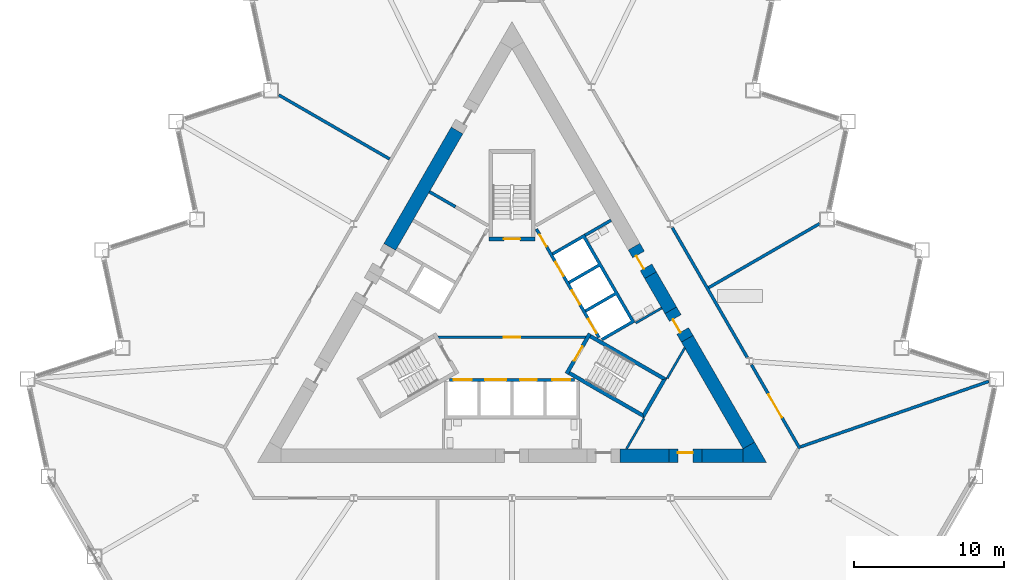
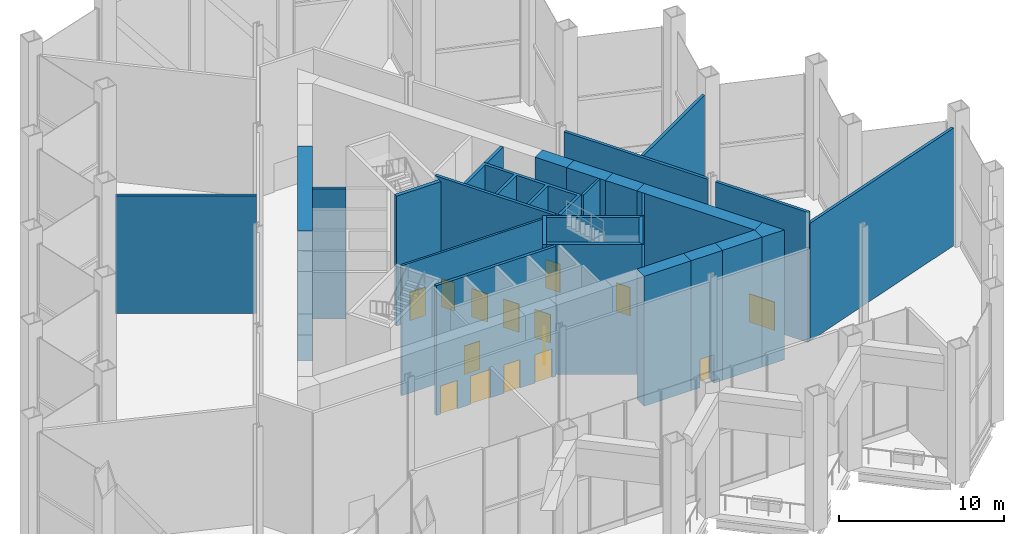
# One storey, part 9 of 17: 28 walls, 15 doors, 15 openings.
"""IFC4 building model written with IfcOpenShell, lengths in metres."""

from ifc_helpers import new_model, si_unit, direction, frame, frame_2d, origin, place, context, subcontext, project, spatial, polyline, rectangle, outline, extrude, material, layer, layer_set, type_object, element, fill, save


model = new_model("IFC4")

# Units and contexts
model_context = context("Model", 3, precision=1e-05, world=origin(), true_north=direction((0.0, 1.0)))
body_context = subcontext(model_context, "Body", "Model", "MODEL_VIEW")
ifc_project = project(units=[si_unit("LENGTHUNIT", "METRE"), si_unit("AREAUNIT", "SQUARE_METRE"), si_unit("VOLUMEUNIT", "CUBIC_METRE"), si_unit("PLANEANGLEUNIT", "RADIAN"), si_unit("MASSUNIT", "GRAM", prefix="KILO")], contexts=[model_context])

# Site, building, storey
site_placement = place(None, origin())
site = spatial("IfcSite", under=ifc_project, at=site_placement, CompositionType="ELEMENT")
building_placement = place(site_placement, origin())
building = spatial("IfcBuilding", under=site, at=building_placement, Name="Cormorant Prow Tower", CompositionType="ELEMENT")
storey_placement = place(building_placement, frame((0.0, 0.0, 84.60009765625)))
storey = spatial("IfcBuildingStorey", under=building, at=storey_placement, Name="L18", CompositionType="ELEMENT", Elevation=84.60009765625)

# Wall, opening, door
ifc_material_1 = material(Name="Gypsum board partition")
ifc_layer_1 = layer(ifc_material_1, 0.14990234375)
ifc_layer_set_1 = layer_set([ifc_layer_1], Name="Gypsum board partition")
wall_type_1 = type_object("IfcWallType", Name="Core partition 150", PredefinedType="PARTITIONING", material=ifc_layer_set_1)
wall_1_placement = place(storey_placement, frame((-4.941162109375, -1.449951171875, 0.0), z_axis=(0.0, 0.0, 1.0), x_axis=(1.0, 0.0, 0.0)))
wall_1 = element("IfcWall", 1, at=wall_1_placement, inside=storey, type_object=wall_type_1, Name="Firefighting lobby partition", PredefinedType="PARTITIONING", context=body_context, shape_type="SweptSolid", body=[
    extrude(rectangle(XDim=9.88232421875, YDim=0.14990234375, at=frame_2d((4.941162109375, 0.0))), origin(), (0.0, 0.0, 1.0), 9.599853515625),
])
opening_1_placement = place(wall_1_placement, frame((4.39111328125, 0.0, 0.0)))
opening_1 = element("IfcOpeningElement", 2, at=opening_1_placement, cuts=wall_1, Name="Opening L18-C11", PredefinedType="OPENING", context=body_context, shape_type="SweptSolid", body=[
    extrude(rectangle(XDim=1.10009765625, YDim=2.10009765625, at=frame_2d((0.550048828125, 1.050048828125))), frame((0.0, 0.0849609375, 0.0), z_axis=(0.0, -1.0, 0.0), x_axis=(1.0, 0.0, 0.0)), (0.0, 0.0, 1.0), 0.169921875),
])
ifc_material_2 = material(Name="Painted steel", Category="steel")
door_type_1 = type_object("IfcDoorType", Name="Firefighting lobby door 1100x2100", OperationType="NOTDEFINED", PredefinedType="DOOR", material=ifc_material_2)
door_1_placement = place(opening_1_placement, origin())
door_1 = element("IfcDoor", 3, at=door_1_placement, inside=storey, type_object=door_type_1, Name="Firefighting lobby door", OperationType="SINGLE_SWING_RIGHT", OverallHeight=2.10009765625, OverallWidth=1.10009765625, PredefinedType="DOOR", context=body_context, shape_type="SweptSolid", body=[
    extrude(rectangle(XDim=1.10009765625, YDim=2.10009765625, at=frame_2d((0.550048828125, 1.050048828125))), frame((0.0, 0.02490234375, 0.0), z_axis=(0.0, -1.0, 0.0), x_axis=(1.0, 0.0, 0.0)), (0.0, 0.0, 1.0), 0.050048828125),
])
fill(opening_1, door_1)

# Walls
wall_2_placement = place(storey_placement, frame((8.268310546875, -0.509033203125, 0.0), z_axis=(0.0, 0.0, 1.0), x_axis=(0.866035824272, 0.499981950752, 0.0)))
element("IfcWall", 4, at=wall_2_placement, inside=storey, type_object=wall_type_1, Name="Service room partition", PredefinedType="PARTITIONING", context=body_context, shape_type="SweptSolid", body=[
    extrude(rectangle(XDim=2.0087890625, YDim=0.14990234375, at=frame_2d((1.00439453125, 0.0))), origin(), (0.0, 0.0, 1.0), 9.599853515625),
])
wall_3_placement = place(storey_placement, frame((8.82958984375, -6.880615234375, 0.0), z_axis=(0.0, 0.0, 1.0), x_axis=(-0.500073279432, -0.865983091751, 0.0)))
element("IfcWall", 5, at=wall_3_placement, inside=storey, type_object=wall_type_1, Name="Service room partition", PredefinedType="PARTITIONING", context=body_context, shape_type="SweptSolid", body=[
    extrude(rectangle(XDim=2.349365234375, YDim=0.14990234375, at=frame_2d((1.1748046875, 0.0))), origin(), (0.0, 0.0, 1.0), 9.599853515625),
])
wall_4_placement = place(storey_placement, frame((10.37353515625, -4.206298828125, 0.0), z_axis=(0.0, 0.0, 1.0), x_axis=(0.499995339376, 0.86602809458, 0.0)))
element("IfcWall", 6, at=wall_4_placement, inside=storey, type_object=wall_type_1, Name="Service room partition", PredefinedType="PARTITIONING", context=body_context, shape_type="SweptSolid", body=[
    extrude(rectangle(XDim=2.34912109375, YDim=0.14990234375, at=frame_2d((1.174560546875, 0.0))), origin(), (0.0, 0.0, 1.0), 9.599853515625),
])
ifc_material_3 = material(Name="Concrete 8000 psi", Category="concrete")
ifc_layer_2 = layer(ifc_material_3, 0.89990234375)
ifc_layer_set_2 = layer_set([ifc_layer_2], Name="Concrete 8000 psi")
wall_type_2 = type_object("IfcWallType", Name="Core shear wall 900", PredefinedType="SHEAR", material=ifc_layer_set_2)
wall_5_placement = place(storey_placement, frame((7.208984375, -9.364990234375, 0.0), z_axis=(0.0, 0.0, 1.0), x_axis=(1.0, 0.0, 0.0)))
element("IfcWall", 7, at=wall_5_placement, inside=storey, type_object=wall_type_2, Name="Core wall", PredefinedType="SHEAR", context=body_context, shape_type="SweptSolid", body=[
    extrude(rectangle(XDim=3.282470703125, YDim=0.89990234375, at=frame_2d((1.64111328125, 0.0))), origin(), (0.0, 0.0, 1.0), 9.599853515625),
])
wall_6_placement = place(storey_placement, frame((12.69140625, -9.364990234375, 0.0), z_axis=(0.0, 0.0, 1.0), x_axis=(1.0, 0.0, 0.0)))
element("IfcWall", 8, at=wall_6_placement, inside=storey, type_object=wall_type_2, Name="Core wall", PredefinedType="SHEAR", context=body_context, shape_type="SweptSolid", body=[
    extrude(rectangle(XDim=2.749755859375, YDim=0.89990234375, at=frame_2d((1.375, 0.0))), origin(), (0.0, 0.0, 1.0), 9.599853515625),
])
wall_7_placement = place(storey_placement, frame((15.830810546875, -8.68994140625, 0.0), z_axis=(0.0, 0.0, 1.0), x_axis=(-0.499995435471, 0.8660280391, 0.0)))
element("IfcWall", 9, at=wall_7_placement, inside=storey, type_object=wall_type_2, Name="Core wall", PredefinedType="SHEAR", context=body_context, shape_type="SweptSolid", body=[
    extrude(rectangle(XDim=8.23193359375, YDim=0.89990234375, at=frame_2d((4.115966796875, 0.0))), origin(), (0.0, 0.0, 1.0), 9.599853515625),
])
wall_8_placement = place(storey_placement, frame((10.614990234375, 0.344482421875, 0.0), z_axis=(0.0, 0.0, 1.0), x_axis=(-0.500044870432, 0.865999496279, 0.0)))
element("IfcWall", 10, at=wall_8_placement, inside=storey, type_object=wall_type_2, Name="Core wall", PredefinedType="SHEAR", context=body_context, shape_type="SweptSolid", body=[
    extrude(rectangle(XDim=2.709228515625, YDim=0.89990234375, at=frame_2d((1.3544921875, 0.0))), origin(), (0.0, 0.0, 1.0), 9.599853515625),
])
wall_9_placement = place(storey_placement, frame((-3.675048828125, 12.364501953125, 0.0), z_axis=(0.0, 0.0, 1.0), x_axis=(-0.500014716158, -0.86601690724, 0.0)))
element("IfcWall", 11, at=wall_9_placement, inside=storey, type_object=wall_type_2, Name="Core wall", PredefinedType="SHEAR", context=body_context, shape_type="SweptSolid", body=[
    extrude(rectangle(XDim=8.990478515625, YDim=0.89990234375, at=frame_2d((4.4951171875, 0.0))), origin(), (0.0, 0.0, 1.0), 9.599853515625),
])
wall_10_placement = place(storey_placement, origin())
element("IfcWall", 12, at=wall_10_placement, inside=storey, type_object=wall_type_2, Name="Core wall corner", PredefinedType="SHEAR", context=body_context, shape_type="SweptSolid", body=[
    extrude(outline(polyline([(15.441162109375, -9.81494140625), (15.441162109375, -8.9150390625), (16.220703125, -8.465087890625), (17.0, -9.81494140625), (15.441162109375, -9.81494140625)])), origin(), (0.0, 0.0, 1.0), 9.599853515625),
])

# Wall, opening, door
wall_11_placement = place(storey_placement, frame((10.491455078125, -9.364990234375, 0.0), z_axis=(0.0, 0.0, 1.0), x_axis=(1.0, 0.0, 0.0)))
wall_11 = element("IfcWall", 13, at=wall_11_placement, inside=storey, type_object=wall_type_2, Name="Core wall door panel", PredefinedType="SHEAR", context=body_context, shape_type="SweptSolid", body=[
    extrude(rectangle(XDim=2.199951171875, YDim=0.89990234375, at=frame_2d((1.10009765625, 0.0))), origin(), (0.0, 0.0, 1.0), 9.599853515625),
])
opening_2_placement = place(wall_11_placement, frame((0.60009765625, 0.0, 0.0)))
opening_2 = element("IfcOpeningElement", 14, at=opening_2_placement, cuts=wall_11, Name="Opening L18-C17", PredefinedType="OPENING", context=body_context, shape_type="SweptSolid", body=[
    extrude(rectangle(XDim=1.0, YDim=2.10009765625, at=frame_2d((0.5, 1.050048828125))), frame((0.0, 0.4599609375, 0.0), z_axis=(0.0, -1.0, 0.0), x_axis=(1.0, 0.0, 0.0)), (0.0, 0.0, 1.0), 0.919921875),
])
ifc_material_4 = material(Name="Painted steel", Category="steel")
door_type_2 = type_object("IfcDoorType", Name="Service door 1000x2100", OperationType="NOTDEFINED", PredefinedType="DOOR", material=ifc_material_4)
door_2_placement = place(opening_2_placement, origin())
door_2 = element("IfcDoor", 15, at=door_2_placement, inside=storey, type_object=door_type_2, Name="Core door, Mechanical riser room", OperationType="SINGLE_SWING_LEFT", OverallHeight=2.10009765625, OverallWidth=1.0, PredefinedType="DOOR", context=body_context, shape_type="SweptSolid", body=[
    extrude(rectangle(XDim=1.0, YDim=2.10009765625, at=frame_2d((0.5, 1.050048828125))), frame((0.0, 0.205078125, 0.0), z_axis=(0.0, -1.0, 0.0), x_axis=(1.0, 0.0, 0.0)), (0.0, 0.0, 1.0), 0.050048828125),
])
fill(opening_2, door_2)

wall_12_placement = place(storey_placement, frame((9.26025390625, 2.690673828125, 0.0), z_axis=(0.0, 0.0, 1.0), x_axis=(-0.499946605688, 0.86605622881, 0.0)))
wall_12 = element("IfcWall", 16, at=wall_12_placement, inside=storey, type_object=wall_type_2, Name="Core wall door panel", PredefinedType="SHEAR", context=body_context, shape_type="SweptSolid", body=[
    extrude(rectangle(XDim=2.199951171875, YDim=0.89990234375, at=frame_2d((1.10009765625, 0.0))), origin(), (0.0, 0.0, 1.0), 9.599853515625),
])
opening_3_placement = place(wall_12_placement, frame((0.60009765625, 0.0, 0.0)))
opening_3 = element("IfcOpeningElement", 17, at=opening_3_placement, cuts=wall_12, Name="Opening L18-C18", PredefinedType="OPENING", context=body_context, shape_type="SweptSolid", body=[
    extrude(rectangle(XDim=1.0, YDim=2.10009765625, at=frame_2d((0.5, 1.050048828125))), frame((0.0, 0.4599609375, 0.0), z_axis=(0.0, -1.0, 0.0), x_axis=(1.0, 0.0, 0.0)), (0.0, 0.0, 1.0), 0.919921875),
])
door_3_placement = place(opening_3_placement, origin())
door_3 = element("IfcDoor", 18, at=door_3_placement, inside=storey, type_object=door_type_2, Name="Core door, Toilets (men) L18", OperationType="SINGLE_SWING_RIGHT", OverallHeight=2.10009765625, OverallWidth=1.0, PredefinedType="DOOR", context=body_context, shape_type="SweptSolid", body=[
    extrude(rectangle(XDim=1.0, YDim=2.10009765625, at=frame_2d((0.5, 1.050048828125))), frame((0.0, 0.205078125, 0.0), z_axis=(0.0, -1.0, 0.0), x_axis=(1.0, 0.0, 0.0)), (0.0, 0.0, 1.0), 0.050048828125),
])
fill(opening_3, door_3)

wall_13_placement = place(storey_placement, frame((11.71484375, -1.560791015625, 0.0), z_axis=(0.0, 0.0, 1.0), x_axis=(-0.499946605688, 0.86605622881, 0.0)))
wall_13 = element("IfcWall", 19, at=wall_13_placement, inside=storey, type_object=wall_type_2, Name="Core wall door panel", PredefinedType="SHEAR", context=body_context, shape_type="SweptSolid", body=[
    extrude(rectangle(XDim=2.199951171875, YDim=0.89990234375, at=frame_2d((1.10009765625, 0.0))), origin(), (0.0, 0.0, 1.0), 9.599853515625),
])
opening_4_placement = place(wall_13_placement, frame((0.60009765625, 0.0, 0.0)))
opening_4 = element("IfcOpeningElement", 20, at=opening_4_placement, cuts=wall_13, Name="Opening L18-C21", PredefinedType="OPENING", context=body_context, shape_type="SweptSolid", body=[
    extrude(rectangle(XDim=1.0, YDim=2.10009765625, at=frame_2d((0.5, 1.050048828125))), frame((0.0, 0.4599609375, 0.0), z_axis=(0.0, -1.0, 0.0), x_axis=(1.0, 0.0, 0.0)), (0.0, 0.0, 1.0), 0.919921875),
])
door_4_placement = place(opening_4_placement, origin())
door_4 = element("IfcDoor", 21, at=door_4_placement, inside=storey, type_object=door_type_2, Name="Core door, Mechanical riser room", OperationType="SINGLE_SWING_LEFT", OverallHeight=2.10009765625, OverallWidth=1.0, PredefinedType="DOOR", context=body_context, shape_type="SweptSolid", body=[
    extrude(rectangle(XDim=1.0, YDim=2.10009765625, at=frame_2d((0.5, 1.050048828125))), frame((0.0, 0.205078125, 0.0), z_axis=(0.0, -1.0, 0.0), x_axis=(1.0, 0.0, 0.0)), (0.0, 0.0, 1.0), 0.050048828125),
])
fill(opening_4, door_4)

# Wall
ifc_material_5 = material(Name="Gypsum board corridor wall")
ifc_layer_3 = layer(ifc_material_5, 0.199951171875)
ifc_layer_set_3 = layer_set([ifc_layer_3], Name="Gypsum board corridor wall")
wall_type_3 = type_object("IfcWallType", Name="Corridor wall 200", PredefinedType="PARTITIONING", material=ifc_layer_set_3)
wall_14_placement = place(storey_placement, frame((10.718505859375, 5.865234375, 0.0), z_axis=(0.0, 0.0, 1.0), x_axis=(0.49999175339, -0.866030164915, 0.0)))
element("IfcWall", 22, at=wall_14_placement, inside=storey, type_object=wall_type_3, Name="Corridor wall", PredefinedType="PARTITIONING", context=body_context, shape_type="SweptSolid", body=[
    extrude(rectangle(XDim=10.018798828125, YDim=0.199951171875, at=frame_2d((5.00927734375, 0.0))), origin(), (0.0, 0.0, 1.0), 9.599853515625),
])

# Wall, opening, door
wall_15_placement = place(storey_placement, frame((16.007568359375, -3.2958984375, 0.0), z_axis=(0.0, 0.0, 1.0), x_axis=(0.499984737558, -0.86603421538, 0.0)))
wall_15 = element("IfcWall", 23, at=wall_15_placement, inside=storey, type_object=wall_type_3, Name="Corridor wall", PredefinedType="PARTITIONING", context=body_context, shape_type="SweptSolid", body=[
    extrude(rectangle(XDim=6.472900390625, YDim=0.199951171875, at=frame_2d((3.236328125, 0.0))), origin(), (0.0, 0.0, 1.0), 9.599853515625),
])
opening_5_placement = place(wall_15_placement, frame((2.285400390625, 0.0, 0.0)))
opening_5 = element("IfcOpeningElement", 24, at=opening_5_placement, cuts=wall_15, Name="Opening L18-F02", PredefinedType="OPENING", context=body_context, shape_type="SweptSolid", body=[
    extrude(rectangle(XDim=1.800048828125, YDim=2.10009765625, at=frame_2d((0.89990234375, 1.050048828125))), frame((0.0, 0.10986328125, 0.0), z_axis=(0.0, -1.0, 0.0), x_axis=(1.0, 0.0, 0.0)), (0.0, 0.0, 1.0), 0.219970703125),
])
ifc_material_6 = material(Name="Timber door leaf", Category="wood")
door_type_3 = type_object("IfcDoorType", Name="Double door 1800x2100", OperationType="DOUBLE_DOOR_SINGLE_SWING", PredefinedType="DOOR", material=ifc_material_6)
door_5_placement = place(opening_5_placement, origin())
door_5 = element("IfcDoor", 25, at=door_5_placement, inside=storey, type_object=door_type_3, Name="Sky lobby door", OperationType="DOUBLE_DOOR_SINGLE_SWING", OverallHeight=2.10009765625, OverallWidth=1.800048828125, PredefinedType="DOOR", context=body_context, shape_type="SweptSolid", body=[
    extrude(rectangle(XDim=1.800048828125, YDim=2.10009765625, at=frame_2d((0.89990234375, 1.050048828125))), frame((0.0, 0.02490234375, 0.0), z_axis=(0.0, -1.0, 0.0), x_axis=(1.0, 0.0, 0.0)), (0.0, 0.0, 1.0), 0.050048828125),
])
fill(opening_5, door_5)

# Walls
ifc_material_7 = material(Name="Gypsum board demising wall")
ifc_layer_4 = layer(ifc_material_7, 0.199951171875)
ifc_layer_set_4 = layer_set([ifc_layer_4], Name="Gypsum board demising wall")
wall_type_4 = type_object("IfcWallType", Name="Demising wall 200", PredefinedType="PARTITIONING", material=ifc_layer_set_4)
wall_16_placement = place(storey_placement, frame((19.288330078125, -8.781982421875, 0.0), z_axis=(0.0, 0.0, 1.0), x_axis=(0.944544719933, 0.328382813263, 0.0)))
element("IfcWall", 26, at=wall_16_placement, inside=storey, type_object=wall_type_4, Name="Demising wall", PredefinedType="PARTITIONING", context=body_context, shape_type="SweptSolid", body=[
    extrude(rectangle(XDim=13.330322265625, YDim=0.199951171875, at=frame_2d((6.6650390625, 0.0))), origin(), (0.0, 0.0, 1.0), 8.685302734375),
])
wall_17_placement = place(storey_placement, frame((-15.591796875, 14.736083984375, 0.0), z_axis=(0.0, 0.0, 1.0), x_axis=(0.866039711517, -0.499975217462, 0.0)))
element("IfcWall", 27, at=wall_17_placement, inside=storey, type_object=wall_type_4, Name="Demising wall", PredefinedType="PARTITIONING", context=body_context, shape_type="SweptSolid", body=[
    extrude(rectangle(XDim=8.55615234375, YDim=0.199951171875, at=frame_2d((4.278076171875, 0.0))), origin(), (0.0, 0.0, 1.0), 8.685302734375),
])
wall_18_placement = place(storey_placement, frame((13.148193359375, 1.856689453125, 0.0), z_axis=(0.0, 0.0, 1.0), x_axis=(0.86602022259, 0.500008973985, 0.0)))
element("IfcWall", 28, at=wall_18_placement, inside=storey, type_object=wall_type_4, Name="Demising wall", PredefinedType="PARTITIONING", context=body_context, shape_type="SweptSolid", body=[
    extrude(rectangle(XDim=8.555908203125, YDim=0.199951171875, at=frame_2d((4.27783203125, 0.0))), origin(), (0.0, 0.0, 1.0), 8.685302734375),
])

# Wall, openings, doors
ifc_material_8 = material(Name="Concrete 5000 psi", Category="concrete")
ifc_layer_5 = layer(ifc_material_8, 0.199951171875)
ifc_layer_set_5 = layer_set([ifc_layer_5], Name="Concrete 5000 psi")
wall_type_5 = type_object("IfcWallType", Name="Lift lobby wall 200", PredefinedType="SOLIDWALL", material=ifc_layer_set_5)
wall_19_placement = place(storey_placement, frame((-4.1865234375, -4.300048828125, 0.0), z_axis=(0.0, 0.0, 1.0), x_axis=(1.0, 0.0, 0.0)))
wall_19 = element("IfcWall", 29, at=wall_19_placement, inside=storey, type_object=wall_type_5, Name="Lift lobby wall, S block", PredefinedType="SOLIDWALL", context=body_context, shape_type="SweptSolid", body=[
    extrude(rectangle(XDim=8.373046875, YDim=0.199951171875, at=frame_2d((4.1865234375, 0.0))), origin(), (0.0, 0.0, 1.0), 9.599853515625),
])
opening_6_placement = place(wall_19_placement, frame((0.28662109375, 0.0, 0.0)))
opening_6 = element("IfcOpeningElement", 30, at=opening_6_placement, cuts=wall_19, Name="Opening L18-C01", PredefinedType="OPENING", context=body_context, shape_type="SweptSolid", body=[
    extrude(rectangle(XDim=1.199951171875, YDim=2.10009765625, at=frame_2d((0.60009765625, 1.050048828125))), frame((0.0, 0.10986328125, 0.0), z_axis=(0.0, -1.0, 0.0), x_axis=(1.0, 0.0, 0.0)), (0.0, 0.0, 1.0), 0.219970703125),
])
opening_7_placement = place(wall_19_placement, frame((2.38671875, 0.0, 0.0)))
opening_7 = element("IfcOpeningElement", 31, at=opening_7_placement, cuts=wall_19, Name="Opening L18-C02", PredefinedType="OPENING", context=body_context, shape_type="SweptSolid", body=[
    extrude(rectangle(XDim=1.39990234375, YDim=2.10009765625, at=frame_2d((0.699951171875, 1.050048828125))), frame((0.0, 0.10986328125, 0.0), z_axis=(0.0, -1.0, 0.0), x_axis=(1.0, 0.0, 0.0)), (0.0, 0.0, 1.0), 0.219970703125),
])
opening_8_placement = place(wall_19_placement, frame((4.736572265625, 0.0, 0.0)))
opening_8 = element("IfcOpeningElement", 32, at=opening_8_placement, cuts=wall_19, Name="Opening L18-C03", PredefinedType="OPENING", context=body_context, shape_type="SweptSolid", body=[
    extrude(rectangle(XDim=1.10009765625, YDim=2.10009765625, at=frame_2d((0.550048828125, 1.050048828125))), frame((0.0, 0.10986328125, 0.0), z_axis=(0.0, -1.0, 0.0), x_axis=(1.0, 0.0, 0.0)), (0.0, 0.0, 1.0), 0.219970703125),
])
opening_9_placement = place(wall_19_placement, frame((6.88671875, 0.0, 0.0)))
opening_9 = element("IfcOpeningElement", 33, at=opening_9_placement, cuts=wall_19, Name="Opening L18-C04", PredefinedType="OPENING", context=body_context, shape_type="SweptSolid", body=[
    extrude(rectangle(XDim=1.199951171875, YDim=2.10009765625, at=frame_2d((0.60009765625, 1.050048828125))), frame((0.0, 0.10986328125, 0.0), z_axis=(0.0, -1.0, 0.0), x_axis=(1.0, 0.0, 0.0)), (0.0, 0.0, 1.0), 0.219970703125),
])
ifc_material_9 = material(Name="Painted steel", Category="steel")
door_type_4 = type_object("IfcDoorType", Name="Firefighting lift landing door 1200x2100", OperationType="SLIDING_TO_LEFT", PredefinedType="DOOR", material=ifc_material_9)
door_6_placement = place(opening_6_placement, origin())
door_6 = element("IfcDoor", 34, at=door_6_placement, inside=storey, type_object=door_type_4, Name="Landing door FL1", OperationType="SLIDING_TO_LEFT", OverallHeight=2.10009765625, OverallWidth=1.199951171875, PredefinedType="DOOR", context=body_context, shape_type="SweptSolid", body=[
    extrude(rectangle(XDim=1.199951171875, YDim=2.10009765625, at=frame_2d((0.60009765625, 1.050048828125))), frame((0.0, 0.02490234375, 0.0), z_axis=(0.0, -1.0, 0.0), x_axis=(1.0, 0.0, 0.0)), (0.0, 0.0, 1.0), 0.050048828125),
])
fill(opening_6, door_6)
door_7_placement = place(opening_9_placement, origin())
door_7 = element("IfcDoor", 35, at=door_7_placement, inside=storey, type_object=door_type_4, Name="Landing door FL2", OperationType="SLIDING_TO_LEFT", OverallHeight=2.10009765625, OverallWidth=1.199951171875, PredefinedType="DOOR", context=body_context, shape_type="SweptSolid", body=[
    extrude(rectangle(XDim=1.199951171875, YDim=2.10009765625, at=frame_2d((0.60009765625, 1.050048828125))), frame((0.0, 0.02490234375, 0.0), z_axis=(0.0, -1.0, 0.0), x_axis=(1.0, 0.0, 0.0)), (0.0, 0.0, 1.0), 0.050048828125),
])
fill(opening_9, door_7)
ifc_material_10 = material(Name="Painted steel", Category="steel")
door_type_5 = type_object("IfcDoorType", Name="Lift landing door 1100x2100", OperationType="SLIDING_TO_LEFT", PredefinedType="DOOR", material=ifc_material_10)
door_8_placement = place(opening_8_placement, origin())
door_8 = element("IfcDoor", 36, at=door_8_placement, inside=storey, type_object=door_type_5, Name="Landing door LR1", OperationType="SLIDING_TO_LEFT", OverallHeight=2.10009765625, OverallWidth=1.10009765625, PredefinedType="DOOR", context=body_context, shape_type="SweptSolid", body=[
    extrude(rectangle(XDim=1.10009765625, YDim=2.10009765625, at=frame_2d((0.550048828125, 1.050048828125))), frame((0.0, 0.02490234375, 0.0), z_axis=(0.0, -1.0, 0.0), x_axis=(1.0, 0.0, 0.0)), (0.0, 0.0, 1.0), 0.050048828125),
])
fill(opening_8, door_8)
ifc_material_11 = material(Name="Painted steel", Category="steel")
door_type_6 = type_object("IfcDoorType", Name="Service lift landing door 1400x2100", OperationType="SLIDING_TO_LEFT", PredefinedType="DOOR", material=ifc_material_11)
door_9_placement = place(opening_7_placement, origin())
door_9 = element("IfcDoor", 37, at=door_9_placement, inside=storey, type_object=door_type_6, Name="Landing door SL1", OperationType="SLIDING_TO_LEFT", OverallHeight=2.10009765625, OverallWidth=1.39990234375, PredefinedType="DOOR", context=body_context, shape_type="SweptSolid", body=[
    extrude(rectangle(XDim=1.39990234375, YDim=2.10009765625, at=frame_2d((0.699951171875, 1.050048828125))), frame((0.0, 0.02490234375, 0.0), z_axis=(0.0, -1.0, 0.0), x_axis=(1.0, 0.0, 0.0)), (0.0, 0.0, 1.0), 0.050048828125),
])
fill(opening_7, door_9)

wall_20_placement = place(storey_placement, frame((5.817138671875, -1.4755859375, 0.0), z_axis=(0.0, 0.0, 1.0), x_axis=(-0.500002616675, 0.866023893041, 0.0)))
wall_20 = element("IfcWall", 38, at=wall_20_placement, inside=storey, type_object=wall_type_5, Name="Lift lobby wall, ENE block", PredefinedType="SOLIDWALL", context=body_context, shape_type="SweptSolid", body=[
    extrude(rectangle(XDim=8.373046875, YDim=0.199951171875, at=frame_2d((4.1865234375, 0.0))), origin(), (0.0, 0.0, 1.0), 9.599853515625),
])
opening_10_placement = place(wall_20_placement, frame((0.336669921875, 0.0, 0.0)))
opening_10 = element("IfcOpeningElement", 39, at=opening_10_placement, cuts=wall_20, Name="Opening L18-C05", PredefinedType="OPENING", context=body_context, shape_type="SweptSolid", body=[
    extrude(rectangle(XDim=1.10009765625, YDim=2.10009765625, at=frame_2d((0.550048828125, 1.050048828125))), frame((0.0, 0.10986328125, 0.0), z_axis=(0.0, -1.0, 0.0), x_axis=(1.0, 0.0, 0.0)), (0.0, 0.0, 1.0), 0.219970703125),
])
opening_11_placement = place(wall_20_placement, frame((2.53662109375, 0.0, 0.0)))
opening_11 = element("IfcOpeningElement", 40, at=opening_11_placement, cuts=wall_20, Name="Opening L18-C06", PredefinedType="OPENING", context=body_context, shape_type="SweptSolid", body=[
    extrude(rectangle(XDim=1.10009765625, YDim=2.10009765625, at=frame_2d((0.550048828125, 1.050048828125))), frame((0.0, 0.10986328125, 0.0), z_axis=(0.0, -1.0, 0.0), x_axis=(1.0, 0.0, 0.0)), (0.0, 0.0, 1.0), 0.219970703125),
])
opening_12_placement = place(wall_20_placement, frame((4.736572265625, 0.0, 0.0)))
opening_12 = element("IfcOpeningElement", 41, at=opening_12_placement, cuts=wall_20, Name="Opening L18-C07", PredefinedType="OPENING", context=body_context, shape_type="SweptSolid", body=[
    extrude(rectangle(XDim=1.10009765625, YDim=2.10009765625, at=frame_2d((0.550048828125, 1.050048828125))), frame((0.0, 0.10986328125, 0.0), z_axis=(0.0, -1.0, 0.0), x_axis=(1.0, 0.0, 0.0)), (0.0, 0.0, 1.0), 0.219970703125),
])
opening_13_placement = place(wall_20_placement, frame((7.03662109375, 0.0, 0.0)))
opening_13 = element("IfcOpeningElement", 42, at=opening_13_placement, cuts=wall_20, Name="Opening L18-C08", PredefinedType="OPENING", context=body_context, shape_type="SweptSolid", body=[
    extrude(rectangle(XDim=0.89990234375, YDim=2.10009765625, at=frame_2d((0.449951171875, 1.050048828125))), frame((0.0, 0.10986328125, 0.0), z_axis=(0.0, -1.0, 0.0), x_axis=(1.0, 0.0, 0.0)), (0.0, 0.0, 1.0), 0.219970703125),
])
door_10_placement = place(opening_10_placement, origin())
door_10 = element("IfcDoor", 43, at=door_10_placement, inside=storey, type_object=door_type_5, Name="Landing door LR2", OperationType="SLIDING_TO_LEFT", OverallHeight=2.10009765625, OverallWidth=1.10009765625, PredefinedType="DOOR", context=body_context, shape_type="SweptSolid", body=[
    extrude(rectangle(XDim=1.10009765625, YDim=2.10009765625, at=frame_2d((0.550048828125, 1.050048828125))), frame((0.0, 0.02490234375, 0.0), z_axis=(0.0, -1.0, 0.0), x_axis=(1.0, 0.0, 0.0)), (0.0, 0.0, 1.0), 0.050048828125),
])
fill(opening_10, door_10)
door_11_placement = place(opening_11_placement, origin())
door_11 = element("IfcDoor", 44, at=door_11_placement, inside=storey, type_object=door_type_5, Name="Landing door LR3", OperationType="SLIDING_TO_LEFT", OverallHeight=2.10009765625, OverallWidth=1.10009765625, PredefinedType="DOOR", context=body_context, shape_type="SweptSolid", body=[
    extrude(rectangle(XDim=1.10009765625, YDim=2.10009765625, at=frame_2d((0.550048828125, 1.050048828125))), frame((0.0, 0.02490234375, 0.0), z_axis=(0.0, -1.0, 0.0), x_axis=(1.0, 0.0, 0.0)), (0.0, 0.0, 1.0), 0.050048828125),
])
fill(opening_11, door_11)
door_12_placement = place(opening_12_placement, origin())
door_12 = element("IfcDoor", 45, at=door_12_placement, inside=storey, type_object=door_type_5, Name="Landing door LR4", OperationType="SLIDING_TO_LEFT", OverallHeight=2.10009765625, OverallWidth=1.10009765625, PredefinedType="DOOR", context=body_context, shape_type="SweptSolid", body=[
    extrude(rectangle(XDim=1.10009765625, YDim=2.10009765625, at=frame_2d((0.550048828125, 1.050048828125))), frame((0.0, 0.02490234375, 0.0), z_axis=(0.0, -1.0, 0.0), x_axis=(1.0, 0.0, 0.0)), (0.0, 0.0, 1.0), 0.050048828125),
])
fill(opening_12, door_12)
ifc_material_12 = material(Name="Painted steel", Category="steel")
door_type_7 = type_object("IfcDoorType", Name="Service door 900x2100", OperationType="NOTDEFINED", PredefinedType="DOOR", material=ifc_material_12)
door_13_placement = place(opening_13_placement, origin())
door_13 = element("IfcDoor", 46, at=door_13_placement, inside=storey, type_object=door_type_7, Name="Service door, Electrical room", OperationType="SINGLE_SWING_RIGHT", OverallHeight=2.10009765625, OverallWidth=0.89990234375, PredefinedType="DOOR", context=body_context, shape_type="SweptSolid", body=[
    extrude(rectangle(XDim=0.89990234375, YDim=2.10009765625, at=frame_2d((0.449951171875, 1.050048828125))), frame((0.0, 0.02490234375, 0.0), z_axis=(0.0, -1.0, 0.0), x_axis=(1.0, 0.0, 0.0)), (0.0, 0.0, 1.0), 0.050048828125),
])
fill(opening_13, door_13)

# Walls
ifc_material_13 = material(Name="Concrete 8000 psi", Category="concrete")
ifc_layer_6 = layer(ifc_material_13, 0.199951171875)
ifc_layer_set_6 = layer_set([ifc_layer_6], Name="Concrete 8000 psi")
wall_type_6 = type_object("IfcWallType", Name="Lift shaft wall 200", PredefinedType="SHEAR", material=ifc_layer_set_6)
wall_21_placement = place(storey_placement, origin())
element("IfcWall", 47, at=wall_21_placement, inside=storey, type_object=wall_type_6, Name="Lift shaft walls, ENE block", PredefinedType="SHEAR", context=body_context, shape_type="SweptSolid", body=[
    extrude(outline(polyline([(2.660400390625, 4.19189453125), (4.830810546875, 5.44482421875), (8.230712890625, -0.444091796875), (6.060546875, -1.697021484375), (5.96044921875, -1.52392578125), (7.952392578125, -0.373779296875), (6.952392578125, 1.358154296875), (4.96044921875, 0.2080078125), (4.860595703125, 0.38134765625), (6.852294921875, 1.53125), (5.852294921875, 3.263427734375), (3.860595703125, 2.11328125), (3.760498046875, 2.28662109375), (5.75244140625, 3.4365234375), (4.75244140625, 5.168701171875), (2.760498046875, 4.018798828125), (2.660400390625, 4.19189453125)])), origin(), (0.0, 0.0, 1.0), 9.599853515625),
])
wall_22_placement = place(storey_placement, frame((4.880859375, 5.3583984375, 0.0), z_axis=(0.0, 0.0, 1.0), x_axis=(0.866035824272, 0.499981950752, 0.0)))
element("IfcWall", 48, at=wall_22_placement, inside=storey, type_object=wall_type_6, Name="Store side wall", PredefinedType="SHEAR", context=body_context, shape_type="SweptSolid", body=[
    extrude(rectangle(XDim=2.0087890625, YDim=0.199951171875, at=frame_2d((1.00439453125, 0.0))), origin(), (0.0, 0.0, 1.0), 9.599853515625),
])
wall_23_placement = place(storey_placement, frame((-3.78076171875, 7.263427734375, 0.0), z_axis=(0.0, 0.0, 1.0), x_axis=(-0.865983199114, 0.50007309351, 0.0)))
element("IfcWall", 49, at=wall_23_placement, inside=storey, type_object=wall_type_6, Name="Store side wall", PredefinedType="SHEAR", context=body_context, shape_type="SweptSolid", body=[
    extrude(rectangle(XDim=2.009033203125, YDim=0.199951171875, at=frame_2d((1.00439453125, 0.0))), origin(), (0.0, 0.0, 1.0), 9.599853515625),
])
ifc_material_14 = material(Name="Concrete 8000 psi", Category="concrete")
ifc_layer_7 = layer(ifc_material_14, 0.25)
ifc_layer_set_7 = layer_set([ifc_layer_7], Name="Concrete 8000 psi")
wall_type_7 = type_object("IfcWallType", Name="Stair wall 250", PredefinedType="SHEAR", material=ifc_layer_set_7)
wall_24_placement = place(storey_placement, origin())
element("IfcWall", 50, at=wall_24_placement, inside=storey, type_object=wall_type_7, Name="Stair ST2 enclosure wall (flank)", PredefinedType="SHEAR", context=body_context, shape_type="SweptSolid", body=[
    extrude(outline(polyline([(3.76318359375, -3.95556640625), (8.82958984375, -6.880615234375), (8.738037109375, -6.5390625), (3.88818359375, -3.739013671875), (3.76318359375, -3.95556640625)])), origin(), (0.0, 0.0, 1.0), 9.599853515625),
])
wall_25_placement = place(storey_placement, origin())
element("IfcWall", 51, at=wall_25_placement, inside=storey, type_object=wall_type_7, Name="Stair ST2 enclosure wall (end)", PredefinedType="SHEAR", context=body_context, shape_type="SweptSolid", body=[
    extrude(outline(polyline([(8.82958984375, -6.880615234375), (10.37353515625, -4.206298828125), (10.031982421875, -4.2978515625), (8.738037109375, -6.5390625), (8.82958984375, -6.880615234375)])), origin(), (0.0, 0.0, 1.0), 9.599853515625),
])
wall_26_placement = place(storey_placement, origin())
element("IfcWall", 52, at=wall_26_placement, inside=storey, type_object=wall_type_7, Name="Stair ST2 enclosure wall (flank)", PredefinedType="SHEAR", context=body_context, shape_type="SweptSolid", body=[
    extrude(outline(polyline([(10.031982421875, -4.2978515625), (10.37353515625, -4.206298828125), (5.30712890625, -1.28125), (5.18212890625, -1.497802734375), (10.031982421875, -4.2978515625)])), origin(), (0.0, 0.0, 1.0), 9.599853515625),
])

# Wall, opening, door
wall_27_placement = place(storey_placement, frame((3.655029296875, -3.89306640625, 0.0), z_axis=(0.0, 0.0, 1.0), x_axis=(0.499982516597, 0.866035497597, 0.0)))
wall_27 = element("IfcWall", 53, at=wall_27_placement, inside=storey, type_object=wall_type_7, Name="Stair ST2 door wall", PredefinedType="SHEAR", context=body_context, shape_type="SweptSolid", body=[
    extrude(rectangle(XDim=3.087890625, YDim=0.25, at=frame_2d((1.5439453125, 0.0))), origin(), (0.0, 0.0, 1.0), 9.599853515625),
])
opening_14_placement = place(wall_27_placement, frame((0.993896484375, 0.0, 0.0)))
opening_14 = element("IfcOpeningElement", 54, at=opening_14_placement, cuts=wall_27, Name="Opening L18-C13", PredefinedType="OPENING", context=body_context, shape_type="SweptSolid", body=[
    extrude(rectangle(XDim=1.10009765625, YDim=2.10009765625, at=frame_2d((0.550048828125, 1.050048828125))), frame((0.0, 0.135009765625, 0.0), z_axis=(0.0, -1.0, 0.0), x_axis=(1.0, 0.0, 0.0)), (0.0, 0.0, 1.0), 0.27001953125),
])
ifc_material_15 = material(Name="Painted steel", Category="steel")
door_type_8 = type_object("IfcDoorType", Name="Stair door 1100x2100", OperationType="NOTDEFINED", PredefinedType="DOOR", material=ifc_material_15)
door_14_placement = place(opening_14_placement, origin())
door_14 = element("IfcDoor", 55, at=door_14_placement, inside=storey, type_object=door_type_8, Name="Stair ST2 door", OperationType="SINGLE_SWING_RIGHT", OverallHeight=2.10009765625, OverallWidth=1.10009765625, PredefinedType="DOOR", context=body_context, shape_type="SweptSolid", body=[
    extrude(rectangle(XDim=1.10009765625, YDim=2.10009765625, at=frame_2d((0.550048828125, 1.050048828125))), frame((0.0, 0.02490234375, 0.0), z_axis=(0.0, -1.0, 0.0), x_axis=(1.0, 0.0, 0.0)), (0.0, 0.0, 1.0), 0.050048828125),
])
fill(opening_14, door_14)

wall_28_placement = place(storey_placement, frame((1.5439453125, 5.11181640625, 0.0), z_axis=(0.0, 0.0, 1.0), x_axis=(-1.0, 0.0, 0.0)))
wall_28 = element("IfcWall", 56, at=wall_28_placement, inside=storey, type_object=wall_type_7, Name="Stair ST3 door wall", PredefinedType="SHEAR", context=body_context, shape_type="SweptSolid", body=[
    extrude(rectangle(XDim=3.087890625, YDim=0.25, at=frame_2d((1.5439453125, 0.0))), origin(), (0.0, 0.0, 1.0), 9.599853515625),
])
opening_15_placement = place(wall_28_placement, frame((0.993896484375, 0.0, 0.0)))
opening_15 = element("IfcOpeningElement", 57, at=opening_15_placement, cuts=wall_28, Name="Opening L18-C14", PredefinedType="OPENING", context=body_context, shape_type="SweptSolid", body=[
    extrude(rectangle(XDim=1.10009765625, YDim=2.10009765625, at=frame_2d((0.550048828125, 1.050048828125))), frame((0.0, 0.135009765625, 0.0), z_axis=(0.0, -1.0, 0.0), x_axis=(1.0, 0.0, 0.0)), (0.0, 0.0, 1.0), 0.27001953125),
])
door_15_placement = place(opening_15_placement, origin())
door_15 = element("IfcDoor", 58, at=door_15_placement, inside=storey, type_object=door_type_8, Name="Stair ST3 door", OperationType="SINGLE_SWING_LEFT", OverallHeight=2.10009765625, OverallWidth=1.10009765625, PredefinedType="DOOR", context=body_context, shape_type="SweptSolid", body=[
    extrude(rectangle(XDim=1.10009765625, YDim=2.10009765625, at=frame_2d((0.550048828125, 1.050048828125))), frame((0.0, 0.02490234375, 0.0), z_axis=(0.0, -1.0, 0.0), x_axis=(1.0, 0.0, 0.0)), (0.0, 0.0, 1.0), 0.050048828125),
])
fill(opening_15, door_15)

save(model, "model.ifc")
